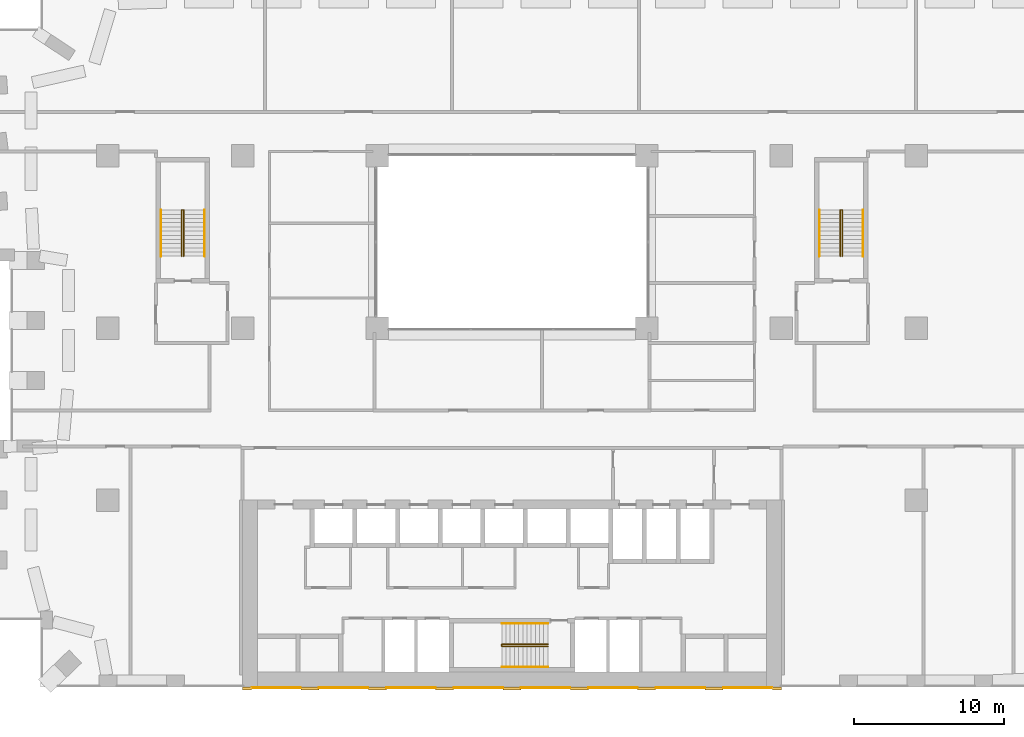
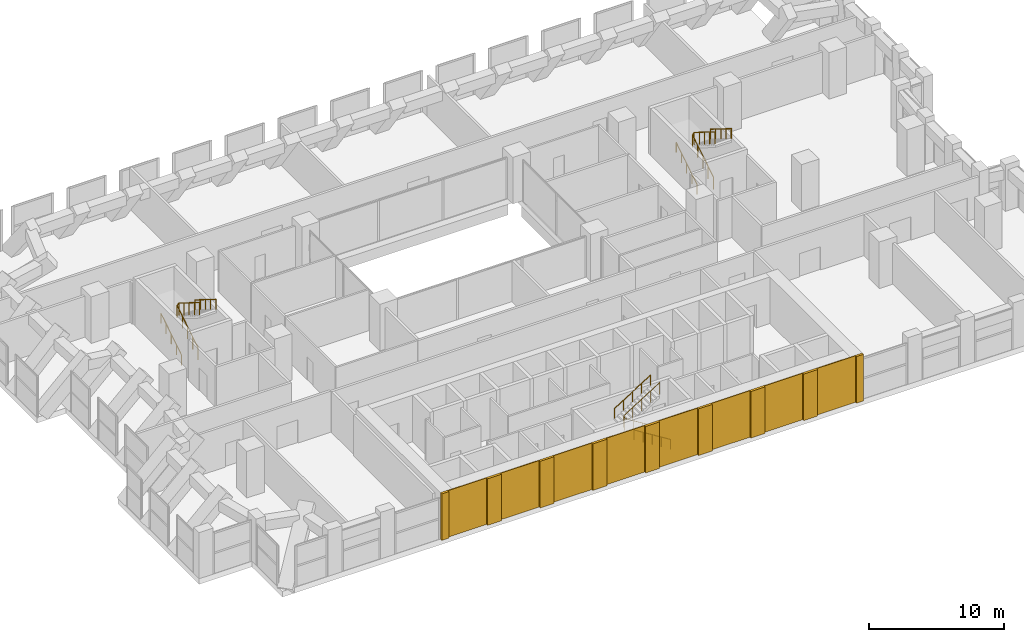
# One storey, part 20 of 20: 17 coverings, 9 railings.
"""IFC4 building model written with IfcOpenShell, lengths in metres."""

from ifc_helpers import new_model, si_unit, direction, frame, origin, origin_2d, place, context, subcontext, project, spatial, rectangle, circle, extrude, material, layer, layer_set, type_object, element, save


model = new_model("IFC4")

# Units and contexts
model_context = context("Model", 3, precision=1e-05, world=origin(), true_north=direction((0.0, 1.0)))
body_context = subcontext(model_context, "Body", "Model", "MODEL_VIEW")
ifc_project = project(units=[si_unit("LENGTHUNIT", "METRE"), si_unit("AREAUNIT", "SQUARE_METRE"), si_unit("VOLUMEUNIT", "CUBIC_METRE"), si_unit("PLANEANGLEUNIT", "RADIAN"), si_unit("MASSUNIT", "GRAM", prefix="KILO")], contexts=[model_context])

# Site, building, storey
site_placement = place(None, origin())
site = spatial("IfcSite", under=ifc_project, at=site_placement, CompositionType="ELEMENT")
building_placement = place(site_placement, origin())
building = spatial("IfcBuilding", under=site, at=building_placement, Name="Brigalow Station Residences", CompositionType="ELEMENT")
storey_placement = place(building_placement, frame((0.0, 0.0, 73.050048828125)))
storey = spatial("IfcBuildingStorey", under=building, at=storey_placement, Name="L21", CompositionType="ELEMENT", Elevation=73.050048828125)

# Coverings
ifc_material_1 = material(Name="Clay brick masonry", Category="masonry")
ifc_layer_1 = layer(ifc_material_1, 0.06005859375)
ifc_layer_set_1 = layer_set([ifc_layer_1], Name="BRICK PANEL FACING 60")
covering_type_1 = type_object("IfcCoveringType", Name="BRICK PANEL FACING 60", PredefinedType="CLADDING", material=ifc_layer_set_1)
for number, where, z_axis, x_axis, name in (
    (1, (20.25, -0.030029296875, 0.0), (0.0, 0.0, 1.0), (1.0, 0.0, 0.0), "L21/rear-facing/panel-1"),
    (2, (24.75, -0.030029296875, 0.0), (0.0, 0.0, 1.0), (1.0, 0.0, 0.0), "L21/rear-facing/panel-2"),
    (3, (29.25, -0.030029296875, 0.0), (0.0, 0.0, 1.0), (1.0, 0.0, 0.0), "L21/rear-facing/panel-3"),
    (4, (33.75, -0.030029296875, 0.0), (0.0, 0.0, 1.0), (1.0, 0.0, 0.0), "L21/rear-facing/panel-4"),
    (5, (38.25, -0.030029296875, 0.0), (0.0, 0.0, 1.0), (1.0, 0.0, 0.0), "L21/rear-facing/panel-5"),
    (6, (42.75, -0.030029296875, 0.0), (0.0, 0.0, 1.0), (1.0, 0.0, 0.0), "L21/rear-facing/panel-6"),
    (7, (47.25, -0.030029296875, 0.0), (0.0, 0.0, 1.0), (1.0, 0.0, 0.0), "L21/rear-facing/panel-7"),
    (8, (51.75, -0.030029296875, 0.0), (0.0, 0.0, 1.0), (1.0, 0.0, 0.0), "L21/rear-facing/panel-8"),
):
    element("IfcCovering", number, at=place(storey_placement, frame(where, z_axis=z_axis, x_axis=x_axis)), inside=storey, type_object=covering_type_1, Name=name, PredefinedType="CLADDING", context=body_context, shape_type="SweptSolid", body=[
        extrude(rectangle(XDim=3.300048828125, YDim=0.06005859375, at=origin_2d()), origin(), (0.0, 0.0, 1.0), 4.199951171875),
    ])
ifc_material_2 = material(Name="Clay brick masonry", Category="masonry")
ifc_layer_2 = layer(ifc_material_2, 0.199951171875)
ifc_layer_set_2 = layer_set([ifc_layer_2], Name="BRICK PIER FACING 200")
covering_type_2 = type_object("IfcCoveringType", Name="BRICK PIER FACING 200", PredefinedType="CLADDING", material=ifc_layer_set_2)
covering_1_placement = place(storey_placement, frame((18.300048828125, -0.10009765625, 0.0), z_axis=(0.0, 0.0, 1.0), x_axis=(1.0, 0.0, 0.0)))
element("IfcCovering", 9, at=covering_1_placement, inside=storey, type_object=covering_type_2, Name="L21/rear-facing/pier-1", PredefinedType="CLADDING", context=body_context, shape_type="SweptSolid", body=[
    extrude(rectangle(XDim=0.60009765625, YDim=0.199951171875, at=origin_2d()), origin(), (0.0, 0.0, 1.0), 4.199951171875),
])
for number, where, z_axis, x_axis, name in (
    (10, (22.5, -0.10009765625, 0.0), (0.0, 0.0, 1.0), (1.0, 0.0, 0.0), "L21/rear-facing/pier-2"),
    (11, (27.0, -0.10009765625, 0.0), (0.0, 0.0, 1.0), (1.0, 0.0, 0.0), "L21/rear-facing/pier-3"),
    (12, (31.5, -0.10009765625, 0.0), (0.0, 0.0, 1.0), (1.0, 0.0, 0.0), "L21/rear-facing/pier-4"),
    (13, (36.0, -0.10009765625, 0.0), (0.0, 0.0, 1.0), (1.0, 0.0, 0.0), "L21/rear-facing/pier-5"),
    (14, (40.5, -0.10009765625, 0.0), (0.0, 0.0, 1.0), (1.0, 0.0, 0.0), "L21/rear-facing/pier-6"),
    (15, (45.0, -0.10009765625, 0.0), (0.0, 0.0, 1.0), (1.0, 0.0, 0.0), "L21/rear-facing/pier-7"),
    (16, (49.5, -0.10009765625, 0.0), (0.0, 0.0, 1.0), (1.0, 0.0, 0.0), "L21/rear-facing/pier-8"),
):
    element("IfcCovering", number, at=place(storey_placement, frame(where, z_axis=z_axis, x_axis=x_axis)), inside=storey, type_object=covering_type_2, Name=name, PredefinedType="CLADDING", context=body_context, shape_type="SweptSolid", body=[
        extrude(rectangle(XDim=1.199951171875, YDim=0.199951171875, at=origin_2d()), origin(), (0.0, 0.0, 1.0), 4.199951171875),
    ])
covering_2_placement = place(storey_placement, frame((53.699951171875, -0.10009765625, 0.0), z_axis=(0.0, 0.0, 1.0), x_axis=(1.0, 0.0, 0.0)))
element("IfcCovering", 17, at=covering_2_placement, inside=storey, type_object=covering_type_2, Name="L21/rear-facing/pier-9", PredefinedType="CLADDING", context=body_context, shape_type="SweptSolid", body=[
    extrude(rectangle(XDim=0.60009765625, YDim=0.199951171875, at=origin_2d()), origin(), (0.0, 0.0, 1.0), 4.199951171875),
])

# Railings
ifc_material_3 = material(Name="Stainless steel balustrade", Category="steel")
railing_type_1 = type_object("IfcRailingType", Name="STAIR GUARD 1100", PredefinedType="GUARDRAIL", material=ifc_material_3)
railing_1_placement = place(storey_placement, frame((38.39990234375, 2.72998046875, 0.175048828125)))
element("IfcRailing", 18, at=railing_1_placement, inside=storey, type_object=railing_type_1, Name="GUARD GR-2", PredefinedType="GUARDRAIL", context=body_context, shape_type="SweptSolid", body=[
    extrude(circle(Radius=0.02392578125, at=origin_2d()), frame((0.0, 0.0, 1.076171875), z_axis=(-0.848009633417, 0.0, 0.529980812513), x_axis=(0.0, -1.0, 0.0)), (0.0, 0.0, 1.0), 3.6318359375),
    extrude(circle(Radius=0.02392578125, at=origin_2d()), frame((-3.079833984375, 0.0, 3.0009765625), z_axis=(0.0, 0.624960567888, 0.780656319122), x_axis=(-1.0, 0.0, 0.0)), (0.0, 0.0, 1.0), 0.22412109375),
    extrude(circle(Radius=0.02392578125, at=origin_2d()), frame((-3.079833984375, 0.14013671875, 3.17578125), z_axis=(0.847979421464, 0.0, 0.530029150871), x_axis=(0.0, 1.0, 0.0)), (0.0, 0.0, 1.0), 3.632080078125),
    extrude(circle(Radius=0.02099609375, at=origin_2d()), origin(), (0.0, 0.0, 1.0), 1.052001953125),
    extrude(circle(Radius=0.02099609375, at=origin_2d()), frame((-0.77001953125, 0.0, 0.481201171875)), (0.0, 0.0, 1.0), 1.052001953125),
    extrude(circle(Radius=0.02099609375, at=origin_2d()), frame((-1.5400390625, 0.0, 0.96240234375)), (0.0, 0.0, 1.0), 1.052001953125),
    extrude(circle(Radius=0.02099609375, at=origin_2d()), frame((-2.309814453125, 0.0, 1.443603515625)), (0.0, 0.0, 1.0), 1.052001953125),
    extrude(circle(Radius=0.02099609375, at=origin_2d()), frame((-3.079833984375, 0.0, 1.9248046875)), (0.0, 0.0, 1.0), 1.052001953125),
    extrude(circle(Radius=0.02099609375, at=origin_2d()), frame((-3.079833984375, 0.14013671875, 2.099853515625)), (0.0, 0.0, 1.0), 1.052001953125),
    extrude(circle(Radius=0.02099609375, at=origin_2d()), frame((-2.309814453125, 0.14013671875, 2.5810546875)), (0.0, 0.0, 1.0), 1.052001953125),
    extrude(circle(Radius=0.02099609375, at=origin_2d()), frame((-1.5400390625, 0.14013671875, 3.0625)), (0.0, 0.0, 1.0), 1.052001953125),
    extrude(circle(Radius=0.02099609375, at=origin_2d()), frame((-0.77001953125, 0.14013671875, 3.543701171875)), (0.0, 0.0, 1.0), 1.052001953125),
    extrude(circle(Radius=0.02099609375, at=origin_2d()), frame((0.0, 0.14013671875, 4.02490234375)), (0.0, 0.0, 1.0), 1.052001953125),
])
railing_2_placement = place(storey_placement, frame((13.929931640625, 28.800048828125, 0.175048828125)))
element("IfcRailing", 19, at=railing_2_placement, inside=storey, type_object=railing_type_1, Name="GUARD GR-1", PredefinedType="GUARDRAIL", context=body_context, shape_type="SweptSolid", body=[
    extrude(circle(Radius=0.02392578125, at=origin_2d()), frame((0.0, 0.0, 1.076171875), z_axis=(0.0, 0.848009633417, 0.529980812513), x_axis=(-1.0, 0.0, 0.0)), (0.0, 0.0, 1.0), 3.6318359375),
    extrude(circle(Radius=0.02392578125, at=origin_2d()), frame((0.0, 3.079833984375, 3.0009765625), z_axis=(0.624960567888, 0.0, 0.780656319122), x_axis=(0.0, 1.0, 0.0)), (0.0, 0.0, 1.0), 0.22412109375),
    extrude(circle(Radius=0.02392578125, at=origin_2d()), frame((0.14013671875, 3.079833984375, 3.17578125), z_axis=(0.0, -0.847979421464, 0.530029150871), x_axis=(1.0, 0.0, 0.0)), (0.0, 0.0, 1.0), 3.632080078125),
    extrude(circle(Radius=0.02099609375, at=origin_2d()), origin(), (0.0, 0.0, 1.0), 1.052001953125),
    extrude(circle(Radius=0.02099609375, at=origin_2d()), frame((0.0, 0.77001953125, 0.481201171875)), (0.0, 0.0, 1.0), 1.052001953125),
    extrude(circle(Radius=0.02099609375, at=origin_2d()), frame((0.0, 1.5400390625, 0.96240234375)), (0.0, 0.0, 1.0), 1.052001953125),
    extrude(circle(Radius=0.02099609375, at=origin_2d()), frame((0.0, 2.309814453125, 1.443603515625)), (0.0, 0.0, 1.0), 1.052001953125),
    extrude(circle(Radius=0.02099609375, at=origin_2d()), frame((0.0, 3.079833984375, 1.9248046875)), (0.0, 0.0, 1.0), 1.052001953125),
    extrude(circle(Radius=0.02099609375, at=origin_2d()), frame((0.14013671875, 3.079833984375, 2.099853515625)), (0.0, 0.0, 1.0), 1.052001953125),
    extrude(circle(Radius=0.02099609375, at=origin_2d()), frame((0.14013671875, 2.309814453125, 2.5810546875)), (0.0, 0.0, 1.0), 1.052001953125),
    extrude(circle(Radius=0.02099609375, at=origin_2d()), frame((0.14013671875, 1.5400390625, 3.0625)), (0.0, 0.0, 1.0), 1.052001953125),
    extrude(circle(Radius=0.02099609375, at=origin_2d()), frame((0.14013671875, 0.77001953125, 3.543701171875)), (0.0, 0.0, 1.0), 1.052001953125),
    extrude(circle(Radius=0.02099609375, at=origin_2d()), frame((0.14013671875, 0.0, 4.02490234375)), (0.0, 0.0, 1.0), 1.052001953125),
])
railing_3_placement = place(storey_placement, frame((57.929931640625, 28.800048828125, 0.175048828125)))
element("IfcRailing", 20, at=railing_3_placement, inside=storey, type_object=railing_type_1, Name="GUARD GR-3", PredefinedType="GUARDRAIL", context=body_context, shape_type="SweptSolid", body=[
    extrude(circle(Radius=0.02392578125, at=origin_2d()), frame((0.0, 0.0, 1.076171875), z_axis=(0.0, 0.848009633417, 0.529980812513), x_axis=(-1.0, 0.0, 0.0)), (0.0, 0.0, 1.0), 3.6318359375),
    extrude(circle(Radius=0.02392578125, at=origin_2d()), frame((0.0, 3.079833984375, 3.0009765625), z_axis=(0.624960567888, 0.0, 0.780656319122), x_axis=(0.0, 1.0, 0.0)), (0.0, 0.0, 1.0), 0.22412109375),
    extrude(circle(Radius=0.02392578125, at=origin_2d()), frame((0.14013671875, 3.079833984375, 3.17578125), z_axis=(0.0, -0.847979421464, 0.530029150871), x_axis=(1.0, 0.0, 0.0)), (0.0, 0.0, 1.0), 3.632080078125),
    extrude(circle(Radius=0.02099609375, at=origin_2d()), origin(), (0.0, 0.0, 1.0), 1.052001953125),
    extrude(circle(Radius=0.02099609375, at=origin_2d()), frame((0.0, 0.77001953125, 0.481201171875)), (0.0, 0.0, 1.0), 1.052001953125),
    extrude(circle(Radius=0.02099609375, at=origin_2d()), frame((0.0, 1.5400390625, 0.96240234375)), (0.0, 0.0, 1.0), 1.052001953125),
    extrude(circle(Radius=0.02099609375, at=origin_2d()), frame((0.0, 2.309814453125, 1.443603515625)), (0.0, 0.0, 1.0), 1.052001953125),
    extrude(circle(Radius=0.02099609375, at=origin_2d()), frame((0.0, 3.079833984375, 1.9248046875)), (0.0, 0.0, 1.0), 1.052001953125),
    extrude(circle(Radius=0.02099609375, at=origin_2d()), frame((0.14013671875, 3.079833984375, 2.099853515625)), (0.0, 0.0, 1.0), 1.052001953125),
    extrude(circle(Radius=0.02099609375, at=origin_2d()), frame((0.14013671875, 2.309814453125, 2.5810546875)), (0.0, 0.0, 1.0), 1.052001953125),
    extrude(circle(Radius=0.02099609375, at=origin_2d()), frame((0.14013671875, 1.5400390625, 3.0625)), (0.0, 0.0, 1.0), 1.052001953125),
    extrude(circle(Radius=0.02099609375, at=origin_2d()), frame((0.14013671875, 0.77001953125, 3.543701171875)), (0.0, 0.0, 1.0), 1.052001953125),
    extrude(circle(Radius=0.02099609375, at=origin_2d()), frame((0.14013671875, 0.0, 4.02490234375)), (0.0, 0.0, 1.0), 1.052001953125),
])
ifc_material_4 = material(Name="Stainless steel handrail", Category="steel")
railing_type_2 = type_object("IfcRailingType", Name="STAIR HANDRAIL 900", PredefinedType="HANDRAIL", material=ifc_material_4)
railing_4_placement = place(storey_placement, frame((38.39990234375, 1.340087890625, 0.175048828125)))
element("IfcRailing", 21, at=railing_4_placement, inside=storey, type_object=railing_type_2, Name="HANDRAIL HR-21", PredefinedType="HANDRAIL", context=body_context, shape_type="SweptSolid", body=[
    extrude(circle(Radius=0.02392578125, at=origin_2d()), frame((0.0, 0.0, 0.8759765625), z_axis=(-0.848009633417, 0.0, 0.529980812513), x_axis=(0.0, -1.0, 0.0)), (0.0, 0.0, 1.0), 3.6318359375),
    extrude(circle(Radius=0.02099609375, at=origin_2d()), origin(), (0.0, 0.0, 1.0), 0.851806640625),
    extrude(circle(Radius=0.02099609375, at=origin_2d()), frame((-0.77001953125, 0.0, 0.481201171875)), (0.0, 0.0, 1.0), 0.851806640625),
    extrude(circle(Radius=0.02099609375, at=origin_2d()), frame((-1.5400390625, 0.0, 0.96240234375)), (0.0, 0.0, 1.0), 0.851806640625),
    extrude(circle(Radius=0.02099609375, at=origin_2d()), frame((-2.309814453125, 0.0, 1.443603515625)), (0.0, 0.0, 1.0), 0.851806640625),
    extrude(circle(Radius=0.02099609375, at=origin_2d()), frame((-3.079833984375, 0.0, 1.9248046875)), (0.0, 0.0, 1.0), 0.851806640625),
])
railing_5_placement = place(storey_placement, frame((35.320068359375, 4.260009765625, 2.27490234375)))
element("IfcRailing", 22, at=railing_5_placement, inside=storey, type_object=railing_type_2, Name="HANDRAIL HR-22", PredefinedType="HANDRAIL", context=body_context, shape_type="SweptSolid", body=[
    extrude(circle(Radius=0.02392578125, at=origin_2d()), frame((0.0, 0.0, 0.8759765625), z_axis=(0.847979421464, 0.0, 0.530029150871), x_axis=(0.0, 1.0, 0.0)), (0.0, 0.0, 1.0), 3.632080078125),
    extrude(circle(Radius=0.02099609375, at=origin_2d()), origin(), (0.0, 0.0, 1.0), 0.851806640625),
    extrude(circle(Radius=0.02099609375, at=origin_2d()), frame((0.77001953125, 0.0, 0.481201171875)), (0.0, 0.0, 1.0), 0.851806640625),
    extrude(circle(Radius=0.02099609375, at=origin_2d()), frame((1.5400390625, 0.0, 0.96240234375)), (0.0, 0.0, 1.0), 0.851806640625),
    extrude(circle(Radius=0.02099609375, at=origin_2d()), frame((2.309814453125, 0.0, 1.44384765625)), (0.0, 0.0, 1.0), 0.851806640625),
    extrude(circle(Radius=0.02099609375, at=origin_2d()), frame((3.079833984375, 0.0, 1.925048828125)), (0.0, 0.0, 1.0), 0.851806640625),
])
railing_6_placement = place(storey_placement, frame((12.5400390625, 28.800048828125, 0.175048828125)))
element("IfcRailing", 23, at=railing_6_placement, inside=storey, type_object=railing_type_2, Name="HANDRAIL HR-11", PredefinedType="HANDRAIL", context=body_context, shape_type="SweptSolid", body=[
    extrude(circle(Radius=0.02392578125, at=origin_2d()), frame((0.0, 0.0, 0.8759765625), z_axis=(0.0, 0.848009633417, 0.529980812513), x_axis=(-1.0, 0.0, 0.0)), (0.0, 0.0, 1.0), 3.6318359375),
    extrude(circle(Radius=0.02099609375, at=origin_2d()), origin(), (0.0, 0.0, 1.0), 0.851806640625),
    extrude(circle(Radius=0.02099609375, at=origin_2d()), frame((0.0, 0.77001953125, 0.481201171875)), (0.0, 0.0, 1.0), 0.851806640625),
    extrude(circle(Radius=0.02099609375, at=origin_2d()), frame((0.0, 1.5400390625, 0.96240234375)), (0.0, 0.0, 1.0), 0.851806640625),
    extrude(circle(Radius=0.02099609375, at=origin_2d()), frame((0.0, 2.309814453125, 1.443603515625)), (0.0, 0.0, 1.0), 0.851806640625),
    extrude(circle(Radius=0.02099609375, at=origin_2d()), frame((0.0, 3.079833984375, 1.9248046875)), (0.0, 0.0, 1.0), 0.851806640625),
])
railing_7_placement = place(storey_placement, frame((15.4599609375, 31.8798828125, 2.27490234375)))
element("IfcRailing", 24, at=railing_7_placement, inside=storey, type_object=railing_type_2, Name="HANDRAIL HR-12", PredefinedType="HANDRAIL", context=body_context, shape_type="SweptSolid", body=[
    extrude(circle(Radius=0.02392578125, at=origin_2d()), frame((0.0, 0.0, 0.8759765625), z_axis=(0.0, -0.847979421464, 0.530029150871), x_axis=(1.0, 0.0, 0.0)), (0.0, 0.0, 1.0), 3.632080078125),
    extrude(circle(Radius=0.02099609375, at=origin_2d()), origin(), (0.0, 0.0, 1.0), 0.851806640625),
    extrude(circle(Radius=0.02099609375, at=origin_2d()), frame((0.0, -0.77001953125, 0.481201171875)), (0.0, 0.0, 1.0), 0.851806640625),
    extrude(circle(Radius=0.02099609375, at=origin_2d()), frame((0.0, -1.5400390625, 0.96240234375)), (0.0, 0.0, 1.0), 0.851806640625),
    extrude(circle(Radius=0.02099609375, at=origin_2d()), frame((0.0, -2.309814453125, 1.44384765625)), (0.0, 0.0, 1.0), 0.851806640625),
    extrude(circle(Radius=0.02099609375, at=origin_2d()), frame((0.0, -3.079833984375, 1.925048828125)), (0.0, 0.0, 1.0), 0.851806640625),
])
railing_8_placement = place(storey_placement, frame((56.5400390625, 28.800048828125, 0.175048828125)))
element("IfcRailing", 25, at=railing_8_placement, inside=storey, type_object=railing_type_2, Name="HANDRAIL HR-31", PredefinedType="HANDRAIL", context=body_context, shape_type="SweptSolid", body=[
    extrude(circle(Radius=0.02392578125, at=origin_2d()), frame((0.0, 0.0, 0.8759765625), z_axis=(0.0, 0.848009633417, 0.529980812513), x_axis=(-1.0, 0.0, 0.0)), (0.0, 0.0, 1.0), 3.6318359375),
    extrude(circle(Radius=0.02099609375, at=origin_2d()), origin(), (0.0, 0.0, 1.0), 0.851806640625),
    extrude(circle(Radius=0.02099609375, at=origin_2d()), frame((0.0, 0.77001953125, 0.481201171875)), (0.0, 0.0, 1.0), 0.851806640625),
    extrude(circle(Radius=0.02099609375, at=origin_2d()), frame((0.0, 1.5400390625, 0.96240234375)), (0.0, 0.0, 1.0), 0.851806640625),
    extrude(circle(Radius=0.02099609375, at=origin_2d()), frame((0.0, 2.309814453125, 1.443603515625)), (0.0, 0.0, 1.0), 0.851806640625),
    extrude(circle(Radius=0.02099609375, at=origin_2d()), frame((0.0, 3.079833984375, 1.9248046875)), (0.0, 0.0, 1.0), 0.851806640625),
])
railing_9_placement = place(storey_placement, frame((59.4599609375, 31.8798828125, 2.27490234375)))
element("IfcRailing", 26, at=railing_9_placement, inside=storey, type_object=railing_type_2, Name="HANDRAIL HR-32", PredefinedType="HANDRAIL", context=body_context, shape_type="SweptSolid", body=[
    extrude(circle(Radius=0.02392578125, at=origin_2d()), frame((0.0, 0.0, 0.8759765625), z_axis=(0.0, -0.847979421464, 0.530029150871), x_axis=(1.0, 0.0, 0.0)), (0.0, 0.0, 1.0), 3.632080078125),
    extrude(circle(Radius=0.02099609375, at=origin_2d()), origin(), (0.0, 0.0, 1.0), 0.851806640625),
    extrude(circle(Radius=0.02099609375, at=origin_2d()), frame((0.0, -0.77001953125, 0.481201171875)), (0.0, 0.0, 1.0), 0.851806640625),
    extrude(circle(Radius=0.02099609375, at=origin_2d()), frame((0.0, -1.5400390625, 0.96240234375)), (0.0, 0.0, 1.0), 0.851806640625),
    extrude(circle(Radius=0.02099609375, at=origin_2d()), frame((0.0, -2.309814453125, 1.44384765625)), (0.0, 0.0, 1.0), 0.851806640625),
    extrude(circle(Radius=0.02099609375, at=origin_2d()), frame((0.0, -3.079833984375, 1.925048828125)), (0.0, 0.0, 1.0), 0.851806640625),
])

save(model, "model.ifc")
